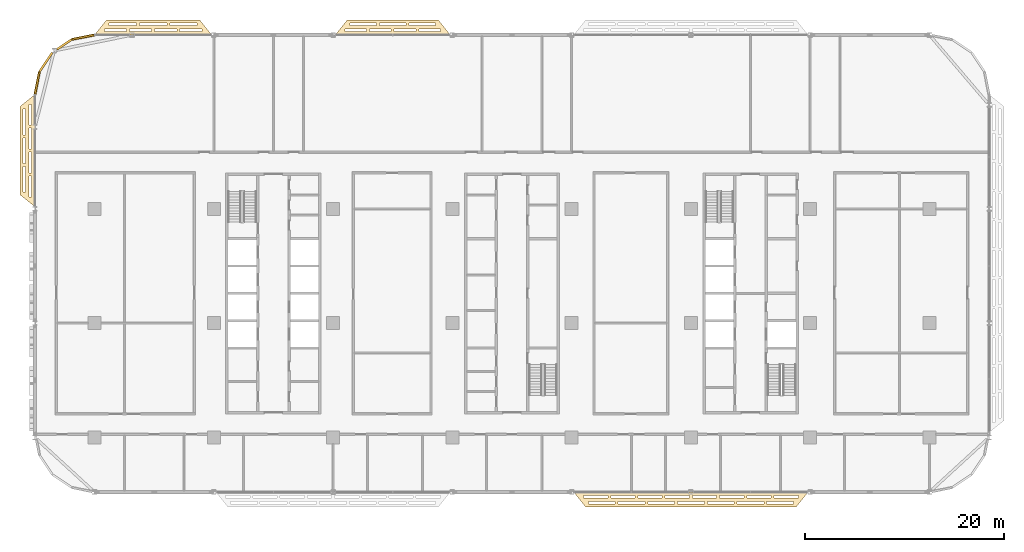
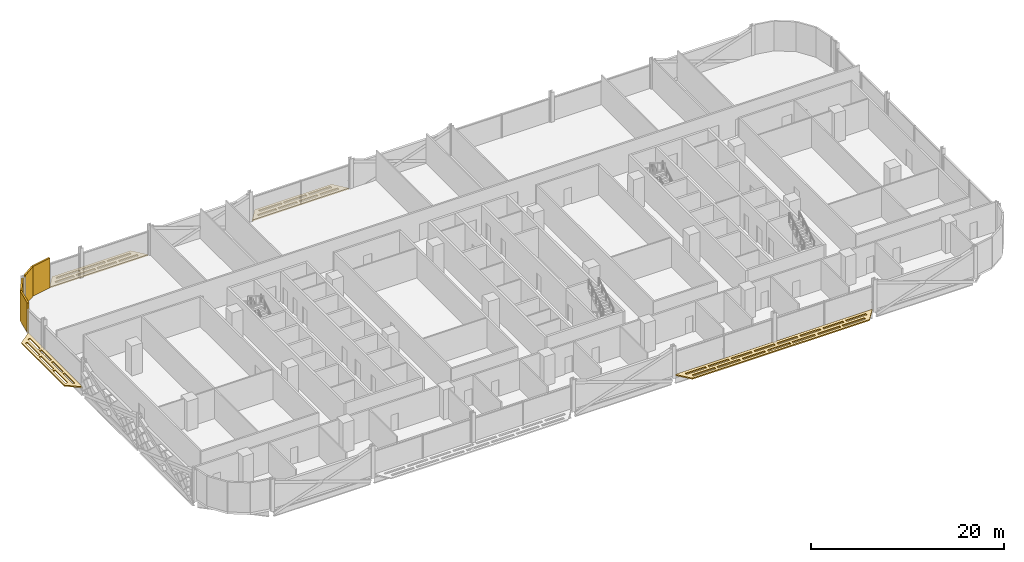
# One storey, part 27 of 29: 8 coverings.
"""IFC4 building model written with IfcOpenShell, lengths in metres."""

from ifc_helpers import new_model, si_unit, direction, frame, origin, origin_2d, place, context, subcontext, project, spatial, polyline, rectangle, outline, extrude, material, layer, layer_set, type_object, element, save


model = new_model("IFC4")

# Units and contexts
model_context = context("Model", 3, precision=1e-05, world=origin(), true_north=direction((0.0, 1.0)))
body_context = subcontext(model_context, "Body", "Model", "MODEL_VIEW")
ifc_project = project(units=[si_unit("LENGTHUNIT", "METRE"), si_unit("AREAUNIT", "SQUARE_METRE"), si_unit("VOLUMEUNIT", "CUBIC_METRE"), si_unit("PLANEANGLEUNIT", "RADIAN"), si_unit("MASSUNIT", "GRAM", prefix="KILO")], contexts=[model_context])

# Site, building, storey
site_placement = place(None, origin())
site = spatial("IfcSite", under=ifc_project, at=site_placement, CompositionType="ELEMENT")
building_placement = place(site_placement, origin())
building = spatial("IfcBuilding", under=site, at=building_placement, Name="Mahtab Terrace Research Tower", CompositionType="ELEMENT")
storey_placement = place(building_placement, frame((0.0, 0.0, 146.60009765625)))
storey = spatial("IfcBuildingStorey", under=building, at=storey_placement, Name="L34", CompositionType="ELEMENT", Elevation=146.60009765625)

# Coverings
ifc_material_1 = material(Name="Black aluminium cladding panel", Category="aluminium")
ifc_layer_1 = layer(ifc_material_1, 0.199951171875)
ifc_layer_set_1 = layer_set([ifc_layer_1], Name="Black metal corner cladding 200")
covering_type_1 = type_object("IfcCoveringType", Name="Black metal corner cladding 200", PredefinedType="CLADDING", material=ifc_layer_set_1)
covering_1_placement = place(storey_placement, frame((-43.14794921875, 28.771484375, 0.0), z_axis=(0.0, 0.0, 1.0), x_axis=(-0.980760981187, -0.195212442692, 0.0)))
element("IfcCovering", 1, at=covering_1_placement, inside=storey, type_object=covering_type_1, Name="Corner cladding L34 11", PredefinedType="CLADDING", context=body_context, shape_type="SweptSolid", body=[
    extrude(rectangle(XDim=2.30126953125, YDim=0.199951171875, at=origin_2d()), origin(), (0.0, 0.0, 1.0), 3.760009765625),
])
covering_2_placement = place(storey_placement, frame((-45.049560546875, 28.039794921875, 0.0), z_axis=(0.0, 0.0, 1.0), x_axis=(-0.831655794326, -0.555291490808, 0.0)))
element("IfcCovering", 2, at=covering_2_placement, inside=storey, type_object=covering_type_1, Name="Corner cladding L34 12", PredefinedType="CLADDING", context=body_context, shape_type="SweptSolid", body=[
    extrude(rectangle(XDim=1.772216796875, YDim=0.199951171875, at=origin_2d()), origin(), (0.0, 0.0, 1.0), 3.760009765625),
])
for number, where, z_axis, x_axis, name in (
    (3, (-46.89306640625, 26.26953125, 0.0), (0.0, 0.0, 1.0), (-0.555291490808, -0.831655794326, 0.0), "Corner cladding L34 13"),
    (4, (-47.771484375, 24.14794921875, 0.0), (0.0, 0.0, 1.0), (-0.195212442692, -0.980760981187, 0.0), "Corner cladding L34 14"),
):
    element("IfcCovering", number, at=place(storey_placement, frame(where, z_axis=z_axis, x_axis=x_axis)), inside=storey, type_object=covering_type_1, Name=name, PredefinedType="CLADDING", context=body_context, shape_type="SweptSolid", body=[
        extrude(rectangle(XDim=2.30126953125, YDim=0.199951171875, at=origin_2d()), origin(), (0.0, 0.0, 1.0), 3.760009765625),
    ])
ifc_material_2 = material(Name="Black anodised aluminium", Category="aluminium")
ifc_layer_2 = layer(ifc_material_2, 0.14990234375)
ifc_layer_set_2 = layer_set([ifc_layer_2], Name="Horizontal sunshade band")
covering_type_2 = type_object("IfcCoveringType", Name="Horizontal sunshade band", PredefinedType="CLADDING", material=ifc_layer_set_2)
covering_3_placement = place(storey_placement, frame((0.0, 0.0, -0.150146484375)))
element("IfcCovering", 5, at=covering_3_placement, inside=storey, type_object=covering_type_2, Name="Sunshade band L34 7", PredefinedType="CLADDING", context=body_context, shape_type="SweptSolid", body=[
    extrude(outline(polyline([(-6.218017578125, 29.0), (-17.781982421875, 29.0), (-16.58203125, 30.5), (-7.41796875, 30.5), (-6.218017578125, 29.0)]), holes=[polyline([(-7.197998046875, 29.35009765625), (-9.3740234375, 29.35009765625), (-9.3740234375, 29.60009765625), (-7.197998046875, 29.60009765625), (-7.197998046875, 29.35009765625)]), polyline([(-9.674072265625, 29.35009765625), (-11.85009765625, 29.35009765625), (-11.85009765625, 29.60009765625), (-9.674072265625, 29.60009765625), (-9.674072265625, 29.35009765625)]), polyline([(-12.14990234375, 29.35009765625), (-14.325927734375, 29.35009765625), (-14.325927734375, 29.60009765625), (-12.14990234375, 29.60009765625), (-12.14990234375, 29.35009765625)]), polyline([(-14.6259765625, 29.35009765625), (-16.802001953125, 29.35009765625), (-16.802001953125, 29.60009765625), (-14.6259765625, 29.60009765625), (-14.6259765625, 29.35009765625)]), polyline([(-7.677978515625, 29.949951171875), (-10.35888671875, 29.949951171875), (-10.35888671875, 30.199951171875), (-7.677978515625, 30.199951171875), (-7.677978515625, 29.949951171875)]), polyline([(-10.658935546875, 29.949951171875), (-13.341064453125, 29.949951171875), (-13.341064453125, 30.199951171875), (-10.658935546875, 30.199951171875), (-10.658935546875, 29.949951171875)]), polyline([(-13.64111328125, 29.949951171875), (-16.322021484375, 29.949951171875), (-16.322021484375, 30.199951171875), (-13.64111328125, 30.199951171875), (-13.64111328125, 29.949951171875)])]), origin(), (0.0, 0.0, 1.0), 0.150146484375),
])
covering_4_placement = place(storey_placement, frame((0.0, 0.0, -0.150146484375)))
element("IfcCovering", 6, at=covering_4_placement, inside=storey, type_object=covering_type_2, Name="Sunshade band L34 9", PredefinedType="CLADDING", context=body_context, shape_type="SweptSolid", body=[
    extrude(outline(polyline([(-30.218017578125, 29.0), (-42.0, 29.0), (-40.800048828125, 30.5), (-31.41796875, 30.5), (-30.218017578125, 29.0)]), holes=[polyline([(-31.197998046875, 29.35009765625), (-33.427978515625, 29.35009765625), (-33.427978515625, 29.60009765625), (-31.197998046875, 29.60009765625), (-31.197998046875, 29.35009765625)]), polyline([(-33.72900390625, 29.35009765625), (-35.958984375, 29.35009765625), (-35.958984375, 29.60009765625), (-33.72900390625, 29.60009765625), (-33.72900390625, 29.35009765625)]), polyline([(-36.259033203125, 29.35009765625), (-38.489013671875, 29.35009765625), (-38.489013671875, 29.60009765625), (-36.259033203125, 29.60009765625), (-36.259033203125, 29.35009765625)]), polyline([(-38.7900390625, 29.35009765625), (-41.02001953125, 29.35009765625), (-41.02001953125, 29.60009765625), (-38.7900390625, 29.60009765625), (-38.7900390625, 29.35009765625)]), polyline([(-31.677978515625, 29.949951171875), (-34.431884765625, 29.949951171875), (-34.431884765625, 30.199951171875), (-31.677978515625, 30.199951171875), (-31.677978515625, 29.949951171875)]), polyline([(-34.73193359375, 29.949951171875), (-37.486083984375, 29.949951171875), (-37.486083984375, 30.199951171875), (-34.73193359375, 30.199951171875), (-34.73193359375, 29.949951171875)]), polyline([(-37.785888671875, 29.949951171875), (-40.5400390625, 29.949951171875), (-40.5400390625, 30.199951171875), (-37.785888671875, 30.199951171875), (-37.785888671875, 29.949951171875)])]), origin(), (0.0, 0.0, 1.0), 0.150146484375),
])
covering_5_placement = place(storey_placement, frame((0.0, 0.0, -0.150146484375)))
element("IfcCovering", 7, at=covering_5_placement, inside=storey, type_object=covering_type_2, Name="Sunshade band L34 15", PredefinedType="CLADDING", context=body_context, shape_type="SweptSolid", body=[
    extrude(outline(polyline([(-48.0, 23.0), (-48.0, 11.718017578125), (-49.5, 12.91796875), (-49.5, 21.800048828125), (-48.0, 23.0)]), holes=[polyline([(-48.35009765625, 22.02001953125), (-48.35009765625, 19.9150390625), (-48.60009765625, 19.9150390625), (-48.60009765625, 22.02001953125), (-48.35009765625, 22.02001953125)]), polyline([(-48.35009765625, 19.614013671875), (-48.35009765625, 17.509033203125), (-48.60009765625, 17.509033203125), (-48.60009765625, 19.614013671875), (-48.35009765625, 19.614013671875)]), polyline([(-48.35009765625, 17.208984375), (-48.35009765625, 15.10400390625), (-48.60009765625, 15.10400390625), (-48.60009765625, 17.208984375), (-48.35009765625, 17.208984375)]), polyline([(-48.35009765625, 14.803955078125), (-48.35009765625, 12.697998046875), (-48.60009765625, 12.697998046875), (-48.60009765625, 14.803955078125), (-48.35009765625, 14.803955078125)]), polyline([(-48.949951171875, 21.5400390625), (-48.949951171875, 18.952880859375), (-49.199951171875, 18.952880859375), (-49.199951171875, 21.5400390625), (-48.949951171875, 21.5400390625)]), polyline([(-48.949951171875, 18.653076171875), (-48.949951171875, 16.06494140625), (-49.199951171875, 16.06494140625), (-49.199951171875, 18.653076171875), (-48.949951171875, 18.653076171875)]), polyline([(-48.949951171875, 15.764892578125), (-48.949951171875, 13.177978515625), (-49.199951171875, 13.177978515625), (-49.199951171875, 15.764892578125), (-48.949951171875, 15.764892578125)])]), origin(), (0.0, 0.0, 1.0), 0.150146484375),
])
covering_6_placement = place(storey_placement, frame((0.0, 0.0, -0.150146484375)))
element("IfcCovering", 8, at=covering_6_placement, inside=storey, type_object=covering_type_2, Name="Sunshade band L34 28", PredefinedType="CLADDING", context=body_context, shape_type="SweptSolid", body=[
    extrude(outline(polyline([(6.218017578125, -17.0), (29.781982421875, -17.0), (28.58203125, -18.5), (7.41796875, -18.5), (6.218017578125, -17.0)]), holes=[polyline([(7.197998046875, -17.35009765625), (9.635986328125, -17.35009765625), (9.635986328125, -17.60009765625), (7.197998046875, -17.60009765625), (7.197998046875, -17.35009765625)]), polyline([(9.93603515625, -17.35009765625), (12.3740234375, -17.35009765625), (12.3740234375, -17.60009765625), (9.93603515625, -17.60009765625), (9.93603515625, -17.35009765625)]), polyline([(12.674072265625, -17.35009765625), (15.112060546875, -17.35009765625), (15.112060546875, -17.60009765625), (12.674072265625, -17.60009765625), (12.674072265625, -17.35009765625)]), polyline([(15.412109375, -17.35009765625), (17.85009765625, -17.35009765625), (17.85009765625, -17.60009765625), (15.412109375, -17.60009765625), (15.412109375, -17.35009765625)]), polyline([(18.14990234375, -17.35009765625), (20.587890625, -17.35009765625), (20.587890625, -17.60009765625), (18.14990234375, -17.60009765625), (18.14990234375, -17.35009765625)]), polyline([(20.887939453125, -17.35009765625), (23.325927734375, -17.35009765625), (23.325927734375, -17.60009765625), (20.887939453125, -17.60009765625), (20.887939453125, -17.35009765625)]), polyline([(23.6259765625, -17.35009765625), (26.06396484375, -17.35009765625), (26.06396484375, -17.60009765625), (23.6259765625, -17.60009765625), (23.6259765625, -17.35009765625)]), polyline([(26.364013671875, -17.35009765625), (28.802001953125, -17.35009765625), (28.802001953125, -17.60009765625), (26.364013671875, -17.60009765625), (26.364013671875, -17.35009765625)]), polyline([(7.677978515625, -17.949951171875), (10.3701171875, -17.949951171875), (10.3701171875, -18.199951171875), (7.677978515625, -18.199951171875), (7.677978515625, -17.949951171875)]), polyline([(10.669921875, -17.949951171875), (13.362060546875, -17.949951171875), (13.362060546875, -18.199951171875), (10.669921875, -18.199951171875), (10.669921875, -17.949951171875)]), polyline([(13.662109375, -17.949951171875), (16.35400390625, -17.949951171875), (16.35400390625, -18.199951171875), (13.662109375, -18.199951171875), (13.662109375, -17.949951171875)]), polyline([(16.654052734375, -17.949951171875), (19.345947265625, -17.949951171875), (19.345947265625, -18.199951171875), (16.654052734375, -18.199951171875), (16.654052734375, -17.949951171875)]), polyline([(19.64599609375, -17.949951171875), (22.337890625, -17.949951171875), (22.337890625, -18.199951171875), (19.64599609375, -18.199951171875), (19.64599609375, -17.949951171875)]), polyline([(22.637939453125, -17.949951171875), (25.330078125, -17.949951171875), (25.330078125, -18.199951171875), (22.637939453125, -18.199951171875), (22.637939453125, -17.949951171875)]), polyline([(25.6298828125, -17.949951171875), (28.322021484375, -17.949951171875), (28.322021484375, -18.199951171875), (25.6298828125, -18.199951171875), (25.6298828125, -17.949951171875)])]), origin(), (0.0, 0.0, 1.0), 0.150146484375),
])

save(model, "model.ifc")
